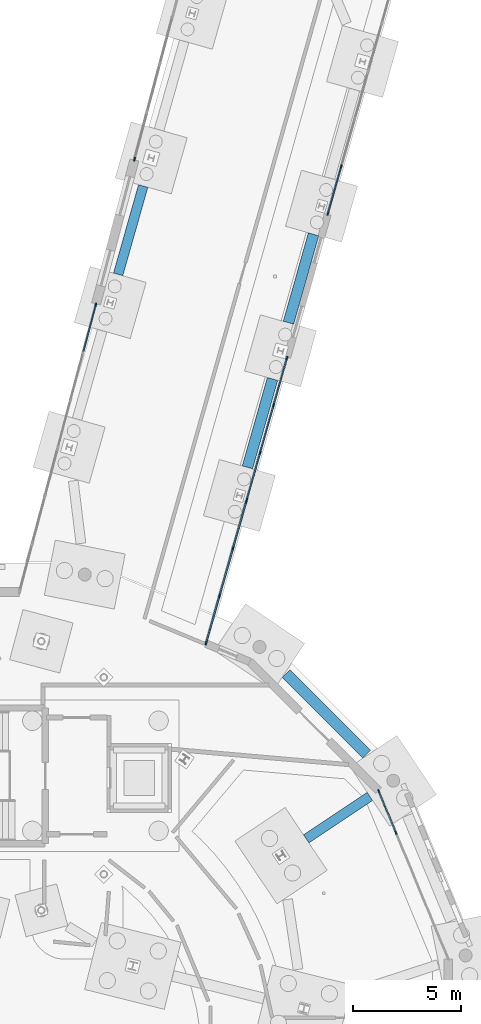
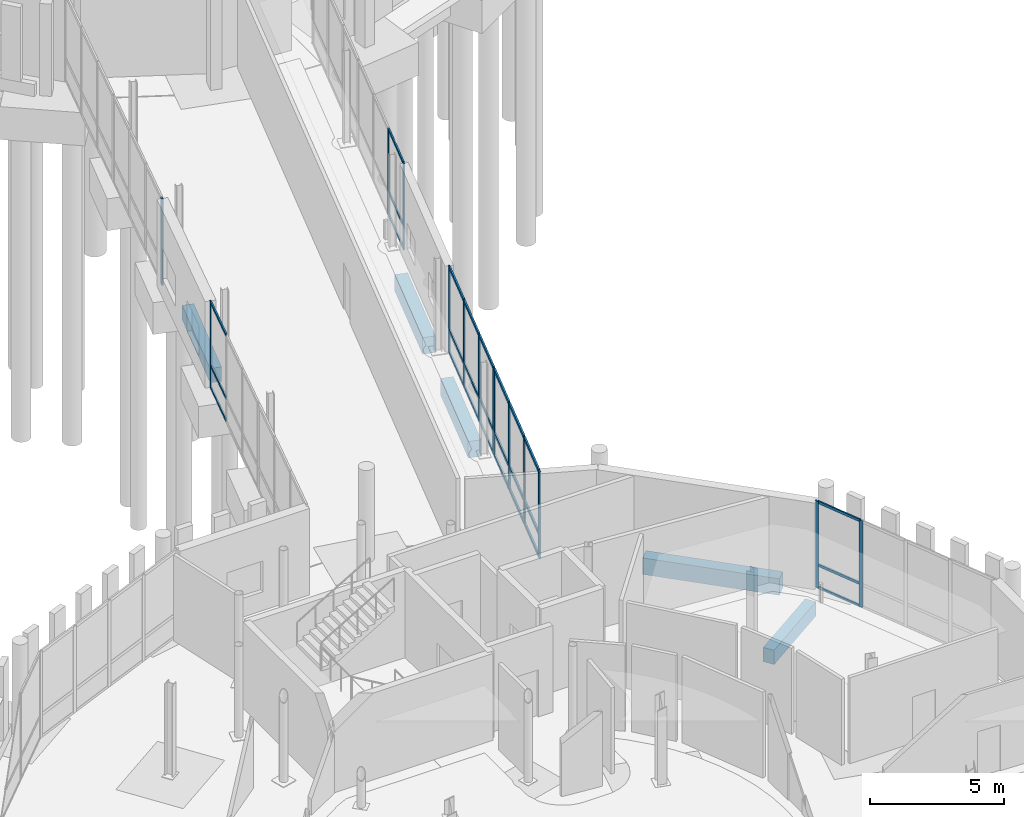
# One storey, part 56 of 113: 41 members, 5 beams, 6 elements without a shape of their own.
"""IFC4 building model written with IfcOpenShell, lengths in metres."""

from ifc_helpers import new_model, si_unit, direction, frame, origin, origin_2d, place, context, subcontext, project, spatial, rectangle, extrude, material, material_profile, profile_set, type_object, element, aggregate, save


model = new_model("IFC4")

# Units and contexts
model_context = context("Model", 3, precision=1e-05, world=origin(), true_north=direction((0.0, 1.0)))
body_context = subcontext(model_context, "Body", "Model", "MODEL_VIEW")
ifc_project = project(units=[si_unit("LENGTHUNIT", "METRE"), si_unit("AREAUNIT", "SQUARE_METRE"), si_unit("VOLUMEUNIT", "CUBIC_METRE"), si_unit("PLANEANGLEUNIT", "RADIAN"), si_unit("MASSUNIT", "GRAM", prefix="KILO")], contexts=[model_context])

# Site, building, storey
site_placement = place(None, origin())
site = spatial("IfcSite", under=ifc_project, at=site_placement, CompositionType="ELEMENT")
building_placement = place(site_placement, origin())
building = spatial("IfcBuilding", under=site, at=building_placement, Name="Wrenclough Park School", CompositionType="ELEMENT")
storey_placement = place(building_placement, origin())
storey = spatial("IfcBuildingStorey", under=building, at=storey_placement, Name="L00", CompositionType="ELEMENT", Elevation=0.0)

# Curtain wall, members
ifc_material_1 = material(Name="Thermally broken aluminium and low-e glass curtain wall", Category="aluminium")
curtain_wall_type_1 = type_object("IfcCurtainWallType", Name="ENV-CW-12", PredefinedType="USERDEFINED", material=ifc_material_1)
curtain_wall_1_placement = place(storey_placement, origin())
curtain_wall_1 = element("IfcCurtainWall", 1, at=curtain_wall_1_placement, inside=storey, type_object=curtain_wall_type_1, Name="L00 recessed curtain wall assembly 027", ObjectType="CURTAIN WALL", PredefinedType="USERDEFINED")
ifc_material_2 = material(Name="Thermally broken anodised aluminium", Category="aluminium")
ifc_material_profile_1 = material_profile(ifc_material_2, rectangle(XDim=0.06005859375, YDim=0.159912109375, at=origin_2d()), Name="AL MULLION 60x160")
ifc_profile_set_1 = profile_set([ifc_material_profile_1], Name="Thermally broken anodised aluminium")
member_type_1 = type_object("IfcMemberType", Name="ENV-CWM-1", PredefinedType="MULLION", material=ifc_profile_set_1)
member_1_placement = place(storey_placement, frame((171.759033203125, 67.413330078125, 0.0), z_axis=(0.0, 0.0, 1.0), x_axis=(0.96206825929, -0.272808842354, 0.0)))
member_1 = element("IfcMember", 2, at=member_1_placement, type_object=member_type_1, Name="CW-12 mullion 3", PredefinedType="MULLION", context=body_context, shape_type="SweptSolid", body=[
    extrude(rectangle(XDim=0.06005859375, YDim=0.159912109375, at=origin_2d()), origin(), (0.0, 0.0, 1.0), 3.93994140625),
])
member_2_placement = place(storey_placement, frame((171.1416015625, 65.235595703125, 0.0), z_axis=(0.0, 0.0, 1.0), x_axis=(0.96206825929, -0.272808842354, 0.0)))
member_2 = element("IfcMember", 3, at=member_2_placement, type_object=member_type_1, Name="CW-12 mullion 4", PredefinedType="MULLION", context=body_context, shape_type="SweptSolid", body=[
    extrude(rectangle(XDim=0.06005859375, YDim=0.159912109375, at=origin_2d()), origin(), (0.0, 0.0, 1.0), 3.93994140625),
])

curtain_wall_type_2 = type_object("IfcCurtainWallType", Name="ENV-CW-15", PredefinedType="USERDEFINED", material=ifc_material_1)
curtain_wall_2_placement = place(storey_placement, origin())
curtain_wall_2 = element("IfcCurtainWall", 4, at=curtain_wall_2_placement, inside=storey, type_object=curtain_wall_type_2, Name="L00 recessed curtain wall assembly 030", ObjectType="CURTAIN WALL", PredefinedType="USERDEFINED")
member_3_placement = place(storey_placement, frame((173.495849609375, 38.484130859375, 0.0), z_axis=(0.0, 0.0, 1.0), x_axis=(0.923878191205, 0.382686670549, 0.0)))
member_3 = element("IfcMember", 5, at=member_3_placement, type_object=member_type_1, Name="CW-15 mullion 1", PredefinedType="MULLION", context=body_context, shape_type="SweptSolid", body=[
    extrude(rectangle(XDim=0.06005859375, YDim=0.159912109375, at=origin_2d()), origin(), (0.0, 0.0, 1.0), 3.93994140625),
])
member_4_placement = place(storey_placement, frame((174.290771484375, 36.564697265625, 0.0), z_axis=(0.0, 0.0, 1.0), x_axis=(0.923878191205, 0.382686670549, 0.0)))
member_4 = element("IfcMember", 6, at=member_4_placement, type_object=member_type_1, Name="CW-15 mullion 2", PredefinedType="MULLION", context=body_context, shape_type="SweptSolid", body=[
    extrude(rectangle(XDim=0.06005859375, YDim=0.159912109375, at=origin_2d()), origin(), (0.0, 0.0, 1.0), 3.93994140625),
])

# Curtain wall, member
curtain_wall_type_3 = type_object("IfcCurtainWallType", Name="ENV-CW-13", PredefinedType="USERDEFINED", material=ifc_material_1)
curtain_wall_3_placement = place(storey_placement, origin())
curtain_wall_3 = element("IfcCurtainWall", 7, at=curtain_wall_3_placement, inside=storey, type_object=curtain_wall_type_3, Name="L00 recessed curtain wall assembly 060", ObjectType="CURTAIN WALL", PredefinedType="USERDEFINED")
member_5_placement = place(storey_placement, frame((160.395751953125, 61.018798828125, 0.0), z_axis=(0.0, 0.0, 1.0), x_axis=(-0.966438093709, 0.256899612745, 0.0)))
member_5 = element("IfcMember", 8, at=member_5_placement, type_object=member_type_1, Name="CW-13 mullion 4", PredefinedType="MULLION", context=body_context, shape_type="SweptSolid", body=[
    extrude(rectangle(XDim=0.06005859375, YDim=0.159912109375, at=origin_2d()), origin(), (0.0, 0.0, 1.0), 3.93994140625),
])

# Curtain wall, members
curtain_wall_4_placement = place(storey_placement, origin())
curtain_wall_4 = element("IfcCurtainWall", 9, at=curtain_wall_4_placement, inside=storey, type_object=curtain_wall_type_3, Name="L00 recessed curtain wall assembly 028", ObjectType="CURTAIN WALL", PredefinedType="USERDEFINED")
ifc_material_profile_2 = material_profile(ifc_material_2, rectangle(XDim=0.06494140625, YDim=0.179931640625, at=origin_2d()), Name="AL MULLION 65x180")
ifc_profile_set_2 = profile_set([ifc_material_profile_2], Name="Thermally broken anodised aluminium")
member_type_2 = type_object("IfcMemberType", Name="ENV-CWM-2", PredefinedType="MULLION", material=ifc_profile_set_2)
member_6_placement = place(storey_placement, frame((169.24267578125, 58.540283203125, 0.0), z_axis=(0.0, 0.0, 1.0), x_axis=(0.96206825929, -0.272808842354, 0.0)))
member_6 = element("IfcMember", 10, at=member_6_placement, type_object=member_type_2, Name="CW-13 mullion 1", PredefinedType="MULLION", context=body_context, shape_type="SweptSolid", body=[
    extrude(rectangle(XDim=0.06494140625, YDim=0.179931640625, at=origin_2d()), origin(), (0.0, 0.0, 1.0), 3.93994140625),
])
member_7_placement = place(storey_placement, frame((168.6259765625, 56.364990234375, 0.0), z_axis=(0.0, 0.0, 1.0), x_axis=(0.96206825929, -0.272808842354, 0.0)))
member_7 = element("IfcMember", 11, at=member_7_placement, type_object=member_type_2, Name="CW-13 mullion 2", PredefinedType="MULLION", context=body_context, shape_type="SweptSolid", body=[
    extrude(rectangle(XDim=0.06494140625, YDim=0.179931640625, at=origin_2d()), origin(), (0.0, 0.0, 1.0), 3.93994140625),
])
member_8_placement = place(storey_placement, frame((168.000244140625, 54.158203125, 0.0), z_axis=(0.0, 0.0, 1.0), x_axis=(0.96206825929, -0.272808842354, 0.0)))
member_8 = element("IfcMember", 12, at=member_8_placement, type_object=member_type_2, Name="CW-13 mullion 3", PredefinedType="MULLION", context=body_context, shape_type="SweptSolid", body=[
    extrude(rectangle(XDim=0.06494140625, YDim=0.179931640625, at=origin_2d()), origin(), (0.0, 0.0, 1.0), 3.93994140625),
])
member_9_placement = place(storey_placement, frame((167.38330078125, 51.98291015625, 0.0), z_axis=(0.0, 0.0, 1.0), x_axis=(0.96206825929, -0.272808842354, 0.0)))
member_9 = element("IfcMember", 13, at=member_9_placement, type_object=member_type_2, Name="CW-13 mullion 4", PredefinedType="MULLION", context=body_context, shape_type="SweptSolid", body=[
    extrude(rectangle(XDim=0.06494140625, YDim=0.179931640625, at=origin_2d()), origin(), (0.0, 0.0, 1.0), 3.93994140625),
])

# Curtain wall, member
curtain_wall_type_4 = type_object("IfcCurtainWallType", Name="ENV-CW-14", PredefinedType="USERDEFINED", material=ifc_material_1)
curtain_wall_5_placement = place(storey_placement, origin())
curtain_wall_5 = element("IfcCurtainWall", 14, at=curtain_wall_5_placement, inside=storey, type_object=curtain_wall_type_4, Name="L00 recessed curtain wall assembly 061", ObjectType="CURTAIN WALL", PredefinedType="USERDEFINED")
member_10_placement = place(storey_placement, frame((162.186767578125, 67.757080078125, 0.0), z_axis=(0.0, 0.0, 1.0), x_axis=(-0.966438093709, 0.256899612745, 0.0)))
member_10 = element("IfcMember", 15, at=member_10_placement, type_object=member_type_2, Name="CW-14 mullion 1", PredefinedType="MULLION", context=body_context, shape_type="SweptSolid", body=[
    extrude(rectangle(XDim=0.06494140625, YDim=0.179931640625, at=origin_2d()), origin(), (0.0, 0.0, 1.0), 3.93994140625),
])
aggregate(curtain_wall_5, [member_10])

# Curtain wall, members
curtain_wall_6_placement = place(storey_placement, origin())
curtain_wall_6 = element("IfcCurtainWall", 16, at=curtain_wall_6_placement, inside=storey, type_object=curtain_wall_type_4, Name="L00 recessed curtain wall assembly 029", ObjectType="CURTAIN WALL", PredefinedType="USERDEFINED")
ifc_material_profile_3 = material_profile(ifc_material_2, rectangle(XDim=0.070068359375, YDim=0.199951171875, at=origin_2d()), Name="AL MULLION 70x200")
ifc_profile_set_3 = profile_set([ifc_material_profile_3], Name="Thermally broken anodised aluminium")
member_type_3 = type_object("IfcMemberType", Name="ENV-CWM-3", PredefinedType="MULLION", material=ifc_profile_set_3)
member_11_placement = place(storey_placement, frame((167.362548828125, 51.910400390625, 0.0), z_axis=(0.0, 0.0, 1.0), x_axis=(0.962063363218, -0.272826107905, 0.0)))
member_11 = element("IfcMember", 17, at=member_11_placement, type_object=member_type_3, Name="CW-14 mullion 1", PredefinedType="MULLION", context=body_context, shape_type="SweptSolid", body=[
    extrude(rectangle(XDim=0.070068359375, YDim=0.199951171875, at=origin_2d()), origin(), (0.0, 0.0, 1.0), 3.93994140625),
])
member_12_placement = place(storey_placement, frame((166.746337890625, 49.7373046875, 0.0), z_axis=(0.0, 0.0, 1.0), x_axis=(0.962063363218, -0.272826107905, 0.0)))
member_12 = element("IfcMember", 18, at=member_12_placement, type_object=member_type_3, Name="CW-14 mullion 2", PredefinedType="MULLION", context=body_context, shape_type="SweptSolid", body=[
    extrude(rectangle(XDim=0.070068359375, YDim=0.199951171875, at=origin_2d()), origin(), (0.0, 0.0, 1.0), 3.93994140625),
])
member_13_placement = place(storey_placement, frame((166.12060546875, 47.53076171875, 0.0), z_axis=(0.0, 0.0, 1.0), x_axis=(0.962063363218, -0.272826107905, 0.0)))
member_13 = element("IfcMember", 19, at=member_13_placement, type_object=member_type_3, Name="CW-14 mullion 3", PredefinedType="MULLION", context=body_context, shape_type="SweptSolid", body=[
    extrude(rectangle(XDim=0.070068359375, YDim=0.199951171875, at=origin_2d()), origin(), (0.0, 0.0, 1.0), 3.93994140625),
])
member_14_placement = place(storey_placement, frame((165.50439453125, 45.357666015625, 0.0), z_axis=(0.0, 0.0, 1.0), x_axis=(0.962063363218, -0.272826107905, 0.0)))
member_14 = element("IfcMember", 20, at=member_14_placement, type_object=member_type_3, Name="CW-14 mullion 4", PredefinedType="MULLION", context=body_context, shape_type="SweptSolid", body=[
    extrude(rectangle(XDim=0.070068359375, YDim=0.199951171875, at=origin_2d()), origin(), (0.0, 0.0, 1.0), 3.93994140625),
])

# Member
ifc_material_profile_4 = material_profile(ifc_material_2, rectangle(XDim=0.06005859375, YDim=0.1201171875, at=origin_2d()), Name="AL TRANSOM 60x120")
ifc_profile_set_4 = profile_set([ifc_material_profile_4], Name="Thermally broken anodised aluminium")
member_type_4 = type_object("IfcMemberType", Name="ENV-CWT-1", PredefinedType="USERDEFINED", material=ifc_profile_set_4)
member_15_placement = place(storey_placement, frame((171.750732421875, 67.384521484375, 0.030029296875), z_axis=(-0.272759819839, -0.962082159008, 0.0), x_axis=(0.962082159008, -0.272759819839, 0.0)))
member_15 = element("IfcMember", 21, at=member_15_placement, type_object=member_type_4, Name="CW-12 transom 3.1", ObjectType="TRANSOM", PredefinedType="USERDEFINED", context=body_context, shape_type="SweptSolid", body=[
    extrude(rectangle(XDim=0.06005859375, YDim=0.1201171875, at=origin_2d()), origin(), (0.0, 0.0, 1.0), 2.20361328125),
])

member_16_placement = place(storey_placement, frame((171.750732421875, 67.384521484375, 1.050048828125), z_axis=(-0.272759819839, -0.962082159008, 0.0), x_axis=(0.962082159008, -0.272759819839, 0.0)))
member_16 = element("IfcMember", 22, at=member_16_placement, type_object=member_type_4, Name="CW-12 transom 3.2", ObjectType="TRANSOM", PredefinedType="USERDEFINED", context=body_context, shape_type="SweptSolid", body=[
    extrude(rectangle(XDim=0.06005859375, YDim=0.1201171875, at=origin_2d()), origin(), (0.0, 0.0, 1.0), 2.20361328125),
])

member_17_placement = place(storey_placement, frame((171.750732421875, 67.384521484375, 3.909912109375), z_axis=(-0.272759819839, -0.962082159008, 0.0), x_axis=(0.962082159008, -0.272759819839, 0.0)))
member_17 = element("IfcMember", 23, at=member_17_placement, type_object=member_type_4, Name="CW-12 transom 3.3", ObjectType="TRANSOM", PredefinedType="USERDEFINED", context=body_context, shape_type="SweptSolid", body=[
    extrude(rectangle(XDim=0.06005859375, YDim=0.1201171875, at=origin_2d()), origin(), (0.0, 0.0, 1.0), 2.20361328125),
])

aggregate(curtain_wall_1, [member_1, member_2, member_15, member_16, member_17])

member_18_placement = place(storey_placement, frame((173.50732421875, 38.45654296875, 0.030029296875), z_axis=(0.382586891877, -0.923919514982, 0.0), x_axis=(0.923919514982, 0.382586891877, 0.0)))
member_18 = element("IfcMember", 24, at=member_18_placement, type_object=member_type_4, Name="CW-15 transom 1.1", ObjectType="TRANSOM", PredefinedType="USERDEFINED", context=body_context, shape_type="SweptSolid", body=[
    extrude(rectangle(XDim=0.06005859375, YDim=0.1201171875, at=origin_2d()), origin(), (0.0, 0.0, 1.0), 2.017822265625),
])

member_19_placement = place(storey_placement, frame((173.50732421875, 38.45654296875, 1.050048828125), z_axis=(0.382586891877, -0.923919514982, 0.0), x_axis=(0.923919514982, 0.382586891877, 0.0)))
member_19 = element("IfcMember", 25, at=member_19_placement, type_object=member_type_4, Name="CW-15 transom 1.2", ObjectType="TRANSOM", PredefinedType="USERDEFINED", context=body_context, shape_type="SweptSolid", body=[
    extrude(rectangle(XDim=0.06005859375, YDim=0.1201171875, at=origin_2d()), origin(), (0.0, 0.0, 1.0), 2.017822265625),
])

member_20_placement = place(storey_placement, frame((173.50732421875, 38.45654296875, 3.909912109375), z_axis=(0.382586891877, -0.923919514982, 0.0), x_axis=(0.923919514982, 0.382586891877, 0.0)))
member_20 = element("IfcMember", 26, at=member_20_placement, type_object=member_type_4, Name="CW-15 transom 1.3", ObjectType="TRANSOM", PredefinedType="USERDEFINED", context=body_context, shape_type="SweptSolid", body=[
    extrude(rectangle(XDim=0.06005859375, YDim=0.1201171875, at=origin_2d()), origin(), (0.0, 0.0, 1.0), 2.017822265625),
])

aggregate(curtain_wall_2, [member_3, member_4, member_18, member_19, member_20])

member_21_placement = place(storey_placement, frame((159.82080078125, 58.856201171875, 0.030029296875), z_axis=(0.256974364244, 0.96641822009, 0.0), x_axis=(-0.96641822009, 0.256974364244, 0.0)))
member_21 = element("IfcMember", 27, at=member_21_placement, type_object=member_type_4, Name="CW-13 transom 3.1", ObjectType="TRANSOM", PredefinedType="USERDEFINED", context=body_context, shape_type="SweptSolid", body=[
    extrude(rectangle(XDim=0.06005859375, YDim=0.1201171875, at=origin_2d()), origin(), (0.0, 0.0, 1.0), 2.2080078125),
])

member_22_placement = place(storey_placement, frame((159.82080078125, 58.856201171875, 1.050048828125), z_axis=(0.256974364244, 0.96641822009, 0.0), x_axis=(-0.96641822009, 0.256974364244, 0.0)))
member_22 = element("IfcMember", 28, at=member_22_placement, type_object=member_type_4, Name="CW-13 transom 3.2", ObjectType="TRANSOM", PredefinedType="USERDEFINED", context=body_context, shape_type="SweptSolid", body=[
    extrude(rectangle(XDim=0.06005859375, YDim=0.1201171875, at=origin_2d()), origin(), (0.0, 0.0, 1.0), 2.2080078125),
])

member_23_placement = place(storey_placement, frame((159.82080078125, 58.856201171875, 3.909912109375), z_axis=(0.256974364244, 0.96641822009, 0.0), x_axis=(-0.96641822009, 0.256974364244, 0.0)))
member_23 = element("IfcMember", 29, at=member_23_placement, type_object=member_type_4, Name="CW-13 transom 3.3", ObjectType="TRANSOM", PredefinedType="USERDEFINED", context=body_context, shape_type="SweptSolid", body=[
    extrude(rectangle(XDim=0.06005859375, YDim=0.1201171875, at=origin_2d()), origin(), (0.0, 0.0, 1.0), 2.2080078125),
])

aggregate(curtain_wall_3, [member_5, member_21, member_22, member_23])

ifc_material_profile_5 = material_profile(ifc_material_2, rectangle(XDim=0.06494140625, YDim=0.139892578125, at=origin_2d()), Name="AL TRANSOM 65x140")
ifc_profile_set_5 = profile_set([ifc_material_profile_5], Name="Thermally broken anodised aluminium")
member_type_5 = type_object("IfcMemberType", Name="ENV-CWT-2", PredefinedType="USERDEFINED", material=ifc_profile_set_5)
member_24_placement = place(storey_placement, frame((169.23388671875, 58.509033203125, 0.032470703125), z_axis=(-0.27281181422, -0.962067416568, 0.0), x_axis=(0.962067416568, -0.27281181422, 0.0)))
member_24 = element("IfcMember", 30, at=member_24_placement, type_object=member_type_5, Name="CW-13 transom 1.1", ObjectType="TRANSOM", PredefinedType="USERDEFINED", context=body_context, shape_type="SweptSolid", body=[
    extrude(rectangle(XDim=0.06494140625, YDim=0.139892578125, at=origin_2d()), origin(), (0.0, 0.0, 1.0), 2.196044921875),
])

member_25_placement = place(storey_placement, frame((169.23388671875, 58.509033203125, 1.050048828125), z_axis=(-0.27281181422, -0.962067416568, 0.0), x_axis=(0.962067416568, -0.27281181422, 0.0)))
member_25 = element("IfcMember", 31, at=member_25_placement, type_object=member_type_5, Name="CW-13 transom 1.2", ObjectType="TRANSOM", PredefinedType="USERDEFINED", context=body_context, shape_type="SweptSolid", body=[
    extrude(rectangle(XDim=0.06494140625, YDim=0.139892578125, at=origin_2d()), origin(), (0.0, 0.0, 1.0), 2.196044921875),
])

member_26_placement = place(storey_placement, frame((169.23388671875, 58.509033203125, 3.907470703125), z_axis=(-0.27281181422, -0.962067416568, 0.0), x_axis=(0.962067416568, -0.27281181422, 0.0)))
member_26 = element("IfcMember", 32, at=member_26_placement, type_object=member_type_5, Name="CW-13 transom 1.3", ObjectType="TRANSOM", PredefinedType="USERDEFINED", context=body_context, shape_type="SweptSolid", body=[
    extrude(rectangle(XDim=0.06494140625, YDim=0.139892578125, at=origin_2d()), origin(), (0.0, 0.0, 1.0), 2.196044921875),
])

member_27_placement = place(storey_placement, frame((168.616943359375, 56.333740234375, 0.032470703125), z_axis=(-0.272752978002, -0.96208409871, 0.0), x_axis=(0.96208409871, -0.272752978002, 0.0)))
member_27 = element("IfcMember", 33, at=member_27_placement, type_object=member_type_5, Name="CW-13 transom 2.1", ObjectType="TRANSOM", PredefinedType="USERDEFINED", context=body_context, shape_type="SweptSolid", body=[
    extrude(rectangle(XDim=0.06494140625, YDim=0.139892578125, at=origin_2d()), origin(), (0.0, 0.0, 1.0), 2.228759765625),
])

member_28_placement = place(storey_placement, frame((168.616943359375, 56.333740234375, 1.050048828125), z_axis=(-0.272752978002, -0.96208409871, 0.0), x_axis=(0.96208409871, -0.272752978002, 0.0)))
member_28 = element("IfcMember", 34, at=member_28_placement, type_object=member_type_5, Name="CW-13 transom 2.2", ObjectType="TRANSOM", PredefinedType="USERDEFINED", context=body_context, shape_type="SweptSolid", body=[
    extrude(rectangle(XDim=0.06494140625, YDim=0.139892578125, at=origin_2d()), origin(), (0.0, 0.0, 1.0), 2.228759765625),
])

member_29_placement = place(storey_placement, frame((168.616943359375, 56.333740234375, 3.907470703125), z_axis=(-0.272752978002, -0.96208409871, 0.0), x_axis=(0.96208409871, -0.272752978002, 0.0)))
member_29 = element("IfcMember", 35, at=member_29_placement, type_object=member_type_5, Name="CW-13 transom 2.3", ObjectType="TRANSOM", PredefinedType="USERDEFINED", context=body_context, shape_type="SweptSolid", body=[
    extrude(rectangle(XDim=0.06494140625, YDim=0.139892578125, at=origin_2d()), origin(), (0.0, 0.0, 1.0), 2.228759765625),
])

member_30_placement = place(storey_placement, frame((167.9912109375, 54.126953125, 0.032470703125), z_axis=(-0.27281181422, -0.962067416568, 0.0), x_axis=(0.962067416568, -0.27281181422, 0.0)))
member_30 = element("IfcMember", 36, at=member_30_placement, type_object=member_type_5, Name="CW-13 transom 3.1", ObjectType="TRANSOM", PredefinedType="USERDEFINED", context=body_context, shape_type="SweptSolid", body=[
    extrude(rectangle(XDim=0.06494140625, YDim=0.139892578125, at=origin_2d()), origin(), (0.0, 0.0, 1.0), 2.196044921875),
])

member_31_placement = place(storey_placement, frame((167.9912109375, 54.126953125, 1.050048828125), z_axis=(-0.27281181422, -0.962067416568, 0.0), x_axis=(0.962067416568, -0.27281181422, 0.0)))
member_31 = element("IfcMember", 37, at=member_31_placement, type_object=member_type_5, Name="CW-13 transom 3.2", ObjectType="TRANSOM", PredefinedType="USERDEFINED", context=body_context, shape_type="SweptSolid", body=[
    extrude(rectangle(XDim=0.06494140625, YDim=0.139892578125, at=origin_2d()), origin(), (0.0, 0.0, 1.0), 2.196044921875),
])

member_32_placement = place(storey_placement, frame((167.9912109375, 54.126953125, 3.907470703125), z_axis=(-0.27281181422, -0.962067416568, 0.0), x_axis=(0.962067416568, -0.27281181422, 0.0)))
member_32 = element("IfcMember", 38, at=member_32_placement, type_object=member_type_5, Name="CW-13 transom 3.3", ObjectType="TRANSOM", PredefinedType="USERDEFINED", context=body_context, shape_type="SweptSolid", body=[
    extrude(rectangle(XDim=0.06494140625, YDim=0.139892578125, at=origin_2d()), origin(), (0.0, 0.0, 1.0), 2.196044921875),
])

aggregate(curtain_wall_4, [member_6, member_7, member_8, member_9, member_24, member_25, member_26, member_27, member_28, member_29, member_30, member_31, member_32])

ifc_material_profile_6 = material_profile(ifc_material_2, rectangle(XDim=0.070068359375, YDim=0.14990234375, at=origin_2d()), Name="AL TRANSOM 70x150")
ifc_profile_set_6 = profile_set([ifc_material_profile_6], Name="Thermally broken anodised aluminium")
member_type_6 = type_object("IfcMemberType", Name="ENV-CWT-3", PredefinedType="USERDEFINED", material=ifc_profile_set_6)
member_33_placement = place(storey_placement, frame((167.35302734375, 51.876708984375, 0.034912109375), z_axis=(-0.272731641764, -0.962090147326, 0.0), x_axis=(0.962090147326, -0.272731641764, 0.0)))
member_33 = element("IfcMember", 39, at=member_33_placement, type_object=member_type_6, Name="CW-14 transom 1.1", ObjectType="TRANSOM", PredefinedType="USERDEFINED", context=body_context, shape_type="SweptSolid", body=[
    extrude(rectangle(XDim=0.070068359375, YDim=0.14990234375, at=origin_2d()), origin(), (0.0, 0.0, 1.0), 2.188720703125),
])

member_34_placement = place(storey_placement, frame((167.35302734375, 51.876708984375, 1.050048828125), z_axis=(-0.272731641764, -0.962090147326, 0.0), x_axis=(0.962090147326, -0.272731641764, 0.0)))
member_34 = element("IfcMember", 40, at=member_34_placement, type_object=member_type_6, Name="CW-14 transom 1.2", ObjectType="TRANSOM", PredefinedType="USERDEFINED", context=body_context, shape_type="SweptSolid", body=[
    extrude(rectangle(XDim=0.070068359375, YDim=0.14990234375, at=origin_2d()), origin(), (0.0, 0.0, 1.0), 2.188720703125),
])

member_35_placement = place(storey_placement, frame((167.35302734375, 51.876708984375, 3.905029296875), z_axis=(-0.272731641764, -0.962090147326, 0.0), x_axis=(0.962090147326, -0.272731641764, 0.0)))
member_35 = element("IfcMember", 41, at=member_35_placement, type_object=member_type_6, Name="CW-14 transom 1.3", ObjectType="TRANSOM", PredefinedType="USERDEFINED", context=body_context, shape_type="SweptSolid", body=[
    extrude(rectangle(XDim=0.070068359375, YDim=0.14990234375, at=origin_2d()), origin(), (0.0, 0.0, 1.0), 2.188720703125),
])

member_36_placement = place(storey_placement, frame((166.73681640625, 49.70361328125, 0.034912109375), z_axis=(-0.272849885903, -0.962056619832, 0.0), x_axis=(0.962056619832, -0.272849885903, 0.0)))
member_36 = element("IfcMember", 42, at=member_36_placement, type_object=member_type_6, Name="CW-14 transom 2.1", ObjectType="TRANSOM", PredefinedType="USERDEFINED", context=body_context, shape_type="SweptSolid", body=[
    extrude(rectangle(XDim=0.070068359375, YDim=0.14990234375, at=origin_2d()), origin(), (0.0, 0.0, 1.0), 2.2236328125),
])

member_37_placement = place(storey_placement, frame((166.73681640625, 49.70361328125, 1.050048828125), z_axis=(-0.272849885903, -0.962056619832, 0.0), x_axis=(0.962056619832, -0.272849885903, 0.0)))
member_37 = element("IfcMember", 43, at=member_37_placement, type_object=member_type_6, Name="CW-14 transom 2.2", ObjectType="TRANSOM", PredefinedType="USERDEFINED", context=body_context, shape_type="SweptSolid", body=[
    extrude(rectangle(XDim=0.070068359375, YDim=0.14990234375, at=origin_2d()), origin(), (0.0, 0.0, 1.0), 2.2236328125),
])

member_38_placement = place(storey_placement, frame((166.73681640625, 49.70361328125, 3.905029296875), z_axis=(-0.272849885903, -0.962056619832, 0.0), x_axis=(0.962056619832, -0.272849885903, 0.0)))
member_38 = element("IfcMember", 44, at=member_38_placement, type_object=member_type_6, Name="CW-14 transom 2.3", ObjectType="TRANSOM", PredefinedType="USERDEFINED", context=body_context, shape_type="SweptSolid", body=[
    extrude(rectangle(XDim=0.070068359375, YDim=0.14990234375, at=origin_2d()), origin(), (0.0, 0.0, 1.0), 2.2236328125),
])

member_39_placement = place(storey_placement, frame((166.111083984375, 47.4970703125, 0.034912109375), z_axis=(-0.272834886609, -0.962060873671, 0.0), x_axis=(0.962060873671, -0.272834886609, 0.0)))
member_39 = element("IfcMember", 45, at=member_39_placement, type_object=member_type_6, Name="CW-14 transom 3.1", ObjectType="TRANSOM", PredefinedType="USERDEFINED", context=body_context, shape_type="SweptSolid", body=[
    extrude(rectangle(XDim=0.070068359375, YDim=0.14990234375, at=origin_2d()), origin(), (0.0, 0.0, 1.0), 2.188720703125),
])

member_40_placement = place(storey_placement, frame((166.111083984375, 47.4970703125, 1.050048828125), z_axis=(-0.272834886609, -0.962060873671, 0.0), x_axis=(0.962060873671, -0.272834886609, 0.0)))
member_40 = element("IfcMember", 46, at=member_40_placement, type_object=member_type_6, Name="CW-14 transom 3.2", ObjectType="TRANSOM", PredefinedType="USERDEFINED", context=body_context, shape_type="SweptSolid", body=[
    extrude(rectangle(XDim=0.070068359375, YDim=0.14990234375, at=origin_2d()), origin(), (0.0, 0.0, 1.0), 2.188720703125),
])

member_41_placement = place(storey_placement, frame((166.111083984375, 47.4970703125, 3.905029296875), z_axis=(-0.272834886609, -0.962060873671, 0.0), x_axis=(0.962060873671, -0.272834886609, 0.0)))
member_41 = element("IfcMember", 47, at=member_41_placement, type_object=member_type_6, Name="CW-14 transom 3.3", ObjectType="TRANSOM", PredefinedType="USERDEFINED", context=body_context, shape_type="SweptSolid", body=[
    extrude(rectangle(XDim=0.070068359375, YDim=0.14990234375, at=origin_2d()), origin(), (0.0, 0.0, 1.0), 2.188720703125),
])

aggregate(curtain_wall_6, [member_11, member_12, member_13, member_14, member_33, member_34, member_35, member_36, member_37, member_38, member_39, member_40, member_41])

# Beams
ifc_material_3 = material(Name="Concrete C35/45", Category="concrete")
ifc_material_profile_7 = material_profile(ifc_material_3, rectangle(XDim=0.449951171875, YDim=0.64990234375, at=origin_2d()), Name="RC GROUND 450x650")
ifc_profile_set_7 = profile_set([ifc_material_profile_7], Name="Concrete C35/45")
beam_type_1 = type_object("IfcBeamType", Name="STR-BM-GTB1", PredefinedType="USERDEFINED", material=ifc_profile_set_7)
beam_1_placement = place(storey_placement, frame((173.078857421875, 38.245849609375, -0.625), z_axis=(-0.831475933552, -0.555560772485, 0.0), x_axis=(0.555560772485, -0.831475933552, 0.0)))
element("IfcBeam", 48, at=beam_1_placement, inside=storey, type_object=beam_type_1, Name="Reinforced concrete ground tie beam 035", ObjectType="GROUND TIE BEAM", PredefinedType="USERDEFINED", context=body_context, shape_type="SweptSolid", body=[
    extrude(rectangle(XDim=0.449951171875, YDim=0.64990234375, at=origin_2d()), origin(), (0.0, 0.0, 1.0), 3.533935546875),
])
beam_2_placement = place(storey_placement, frame((161.426025390625, 62.425048828125, -0.625), z_axis=(0.272800283583, 0.962070686216, 0.0), x_axis=(-0.962070686216, 0.272800283583, 0.0)))
element("IfcBeam", 49, at=beam_2_placement, inside=storey, type_object=beam_type_1, Name="Reinforced concrete ground tie beam 149", ObjectType="GROUND TIE BEAM", PredefinedType="USERDEFINED", context=body_context, shape_type="SweptSolid", body=[
    extrude(rectangle(XDim=0.449951171875, YDim=0.64990234375, at=origin_2d()), origin(), (0.0, 0.0, 1.0), 4.248291015625),
])
ifc_material_profile_8 = material_profile(ifc_material_3, rectangle(XDim=0.5, YDim=0.75, at=origin_2d()), Name="RC GROUND 500x750")
ifc_profile_set_8 = profile_set([ifc_material_profile_8], Name="Concrete C35/45")
beam_type_2 = type_object("IfcBeamType", Name="STR-BM-GTB2", PredefinedType="USERDEFINED", material=ifc_profile_set_8)
beam_3_placement = place(storey_placement, frame((172.937255859375, 40.201904296875, -0.675048828125), z_axis=(-0.707106781187, 0.707106781187, 0.0), x_axis=(-0.707106781187, -0.707106781187, 0.0)))
element("IfcBeam", 50, at=beam_3_placement, inside=storey, type_object=beam_type_2, Name="Reinforced concrete ground tie beam 036", ObjectType="GROUND TIE BEAM", PredefinedType="USERDEFINED", context=body_context, shape_type="SweptSolid", body=[
    extrude(rectangle(XDim=0.5, YDim=0.75, at=origin_2d()), origin(), (0.0, 0.0, 1.0), 5.282470703125),
])
beam_4_placement = place(storey_placement, frame((167.4150390625, 53.48779296875, -0.675048828125), z_axis=(0.272800283583, 0.962070686216, 0.0), x_axis=(-0.962070686216, 0.272800283583, 0.0)))
element("IfcBeam", 51, at=beam_4_placement, inside=storey, type_object=beam_type_2, Name="Reinforced concrete ground tie beam 148", ObjectType="GROUND TIE BEAM", PredefinedType="USERDEFINED", context=body_context, shape_type="SweptSolid", body=[
    extrude(rectangle(XDim=0.5, YDim=0.75, at=origin_2d()), origin(), (0.0, 0.0, 1.0), 4.248291015625),
])
beam_5_placement = place(storey_placement, frame((169.31494140625, 60.18798828125, -0.675048828125), z_axis=(0.272868559412, 0.962051323623, 0.0), x_axis=(-0.962051323623, 0.272868559412, 0.0)))
element("IfcBeam", 52, at=beam_5_placement, inside=storey, type_object=beam_type_2, Name="Reinforced concrete ground tie beam 150", ObjectType="GROUND TIE BEAM", PredefinedType="USERDEFINED", context=body_context, shape_type="SweptSolid", body=[
    extrude(rectangle(XDim=0.5, YDim=0.75, at=origin_2d()), origin(), (0.0, 0.0, 1.0), 4.248046875),
])

save(model, "model.ifc")
